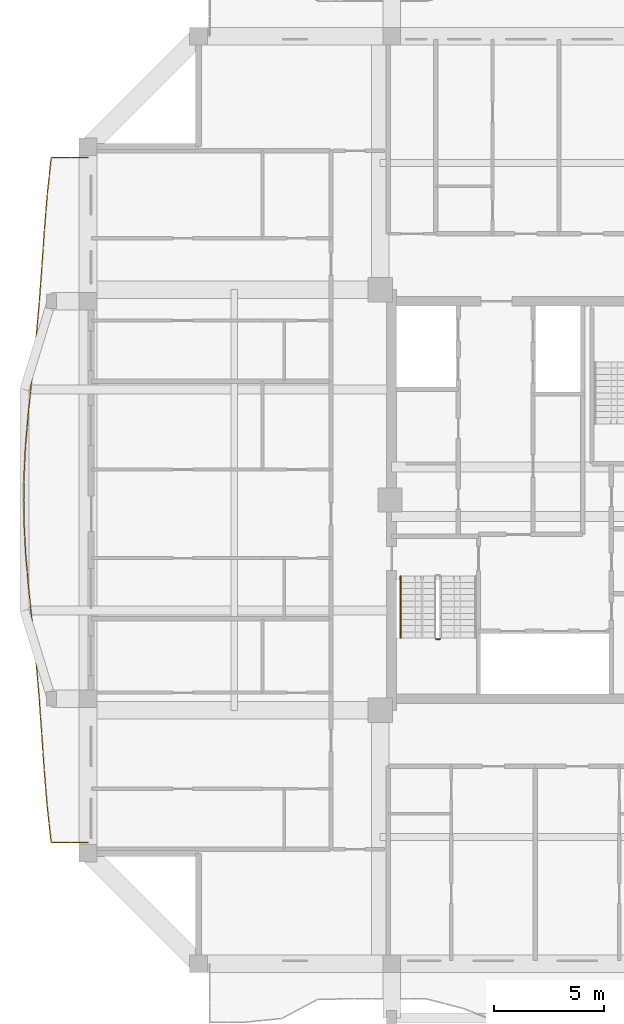
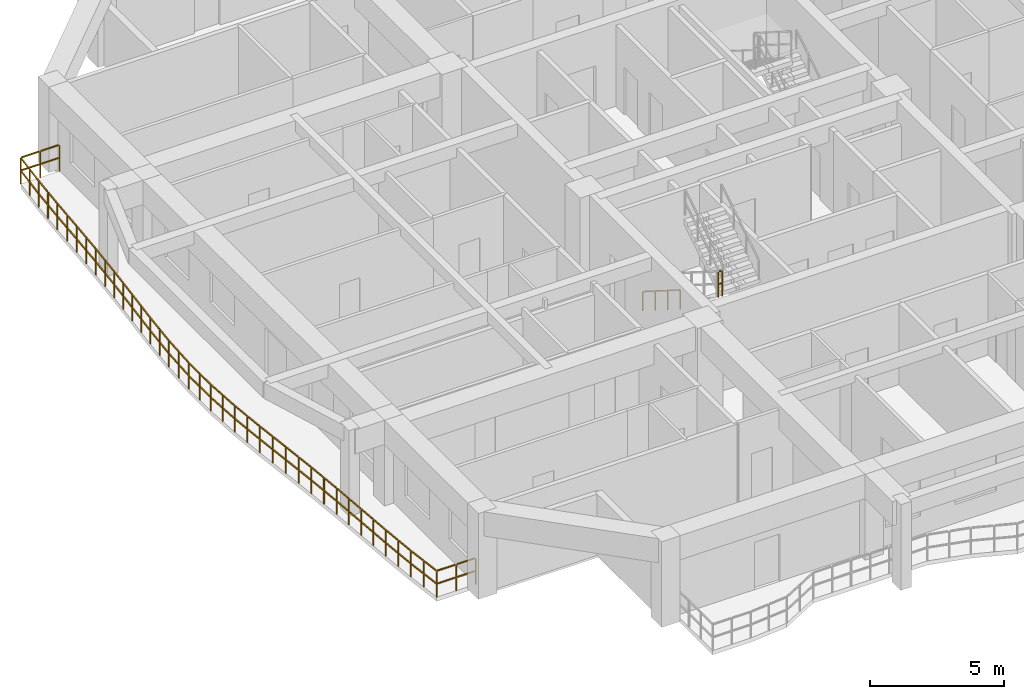
# One storey, part 10 of 13: 3 railings.
"""IFC4 building model written with IfcOpenShell, lengths in metres."""

import ifcopenshell
import ifcopenshell.guid

model = None  # the IFC model being written
_history = None  # IfcOwnerHistory: only IFC2X3 demands one
_inside = {}  # id of a spatial element -> (the spatial element, [elements in it])
_under = {}  # id of a project, library or spatial element -> (it, [spatial elements below it])
_declared = {}  # id of a project -> (the project, [libraries it declares])
_typed = {}  # id of a type object -> (the type object, [elements of that type])
_made_of = {}  # id of a material, layer set ... -> (it, [elements and type objects made of it])


def new_model(schema):
    """Start an empty IFC model of exactly this schema.

    Asked for "IFC4X3", IfcOpenShell would pick the latest addendum, in which some entities
    have other attributes; the version numbers below select the first issue.
    IFC2X3 requires an IfcOwnerHistory on every rooted entity: one is made here for all.
    """
    global model, _history
    if schema == "IFC4X3":
        model = ifcopenshell.file(schema_version=(4, 3, 0, 0))
    else:
        model = ifcopenshell.file(schema=schema)
    _inside.clear()
    _under.clear()
    _declared.clear()
    _typed.clear()
    _made_of.clear()
    _history = None
    if model.schema == "IFC2X3":
        org = make("IfcOrganization", Name="unknown")
        user = make(
            "IfcPersonAndOrganization",
            ThePerson=make("IfcPerson", FamilyName="unknown"),
            TheOrganization=org,
        )
        app = make(
            "IfcApplication",
            ApplicationDeveloper=org,
            Version="unknown",
            ApplicationFullName="unknown",
            ApplicationIdentifier="unknown",
        )
        _history = make(
            "IfcOwnerHistory",
            OwningUser=user,
            OwningApplication=app,
            ChangeAction="ADDED",
            CreationDate=0,
        )
    return model


def make(cls, **values):
    """One entity of the class cls with the attributes given. An attribute that is None is left unset."""
    return model.create_entity(
        cls, **{name: value for name, value in values.items() if value is not None}
    )


def rooted(cls, **values):
    """An entity with a GlobalId (a new one), such as an element, a storey or a relation."""
    return make(cls, GlobalId=ifcopenshell.guid.new(), OwnerHistory=_history, **values)


def si_unit(unit_type, name, prefix=None):
    """IfcSIUnit, for example si_unit("LENGTHUNIT", "METRE", prefix="MILLI")."""
    return make("IfcSIUnit", UnitType=unit_type, Prefix=prefix, Name=name)


def assignment(units):
    """IfcUnitAssignment: the units of a project."""
    return None if units is None else make("IfcUnitAssignment", Units=units)


def point(xyz):
    """IfcCartesianPoint."""
    return None if xyz is None else make("IfcCartesianPoint", Coordinates=xyz)


def direction(xyz):
    """IfcDirection."""
    return None if xyz is None else make("IfcDirection", DirectionRatios=xyz)


def frame(location, z_axis=None, x_axis=None):
    """IfcAxis2Placement3D, a coordinate frame: its origin and axes. An axis left out is left unset."""
    return make(
        "IfcAxis2Placement3D",
        Location=point(location),
        Axis=direction(z_axis),
        RefDirection=direction(x_axis),
    )


def frame_2d(location, x_axis=None):
    """IfcAxis2Placement2D, a coordinate frame in the plane: its origin and x axis."""
    return make(
        "IfcAxis2Placement2D", Location=point(location), RefDirection=direction(x_axis)
    )


def origin():
    """The frame at (0, 0, 0) with its axes left unset."""
    return frame((0.0, 0.0, 0.0))


def origin_2d():
    """The frame at (0, 0) in the plane with its x axis left unset."""
    return frame_2d((0.0, 0.0))


def place(relative_to, where):
    """IfcLocalPlacement: puts the frame where relative to a parent placement (None: the world)."""
    return make(
        "IfcLocalPlacement", PlacementRelTo=relative_to, RelativePlacement=where
    )


def context(
    kind, dimensions, precision=None, world=None, true_north=None, identifier=None
):
    """IfcGeometricRepresentationContext, for example the 3D "Model" context."""
    return make(
        "IfcGeometricRepresentationContext",
        ContextIdentifier=identifier,
        ContextType=kind,
        CoordinateSpaceDimension=dimensions,
        Precision=precision,
        WorldCoordinateSystem=world,
        TrueNorth=true_north,
    )


def subcontext(parent, identifier, kind, view, scale=None):
    """IfcGeometricRepresentationSubContext, for example "Body" below "Model"."""
    return make(
        "IfcGeometricRepresentationSubContext",
        ContextIdentifier=identifier,
        ContextType=kind,
        ParentContext=parent,
        TargetScale=scale,
        TargetView=view,
    )


def project(units=None, contexts=None):
    """IfcProject with its units and contexts."""
    return rooted(
        "IfcProject",
        Name="project",
        RepresentationContexts=contexts,
        UnitsInContext=assignment(units),
    )


def spatial(cls, under=None, at=None, **own):
    """A site, building, storey or space (cls), placed at a placement, below another one or the project."""
    s = rooted(cls, ObjectPlacement=at, **own)
    if under is not None:
        _under.setdefault(under.id(), (under, []))[1].append(s)
    return s


def profile(cls, at=None, kind="AREA", **sizes):
    """A parametric profile (cls). Its sizes go by their IFC names, for example OverallWidth=200.0."""
    return make(cls, ProfileType=kind, Position=at, **sizes)


def rectangle(**sizes):
    """IfcRectangleProfileDef."""
    return profile("IfcRectangleProfileDef", **sizes)


def extrude(swept, where, along, depth):
    """IfcExtrudedAreaSolid: the profile swept, set in the frame where, extruded along a direction by depth."""
    return make(
        "IfcExtrudedAreaSolid",
        SweptArea=swept,
        Position=where,
        ExtrudedDirection=direction(along),
        Depth=depth,
    )


def shape(context_of_items, identifier, shape_type, items):
    """IfcShapeRepresentation: the items that make up one representation, for example the "Body"."""
    return make(
        "IfcShapeRepresentation",
        ContextOfItems=context_of_items,
        RepresentationIdentifier=identifier,
        RepresentationType=shape_type,
        Items=items,
    )


def material(Name=None, Category=None):
    """IfcMaterial."""
    return make("IfcMaterial", Name=Name, Category=Category)


def made_of(thing, what):
    """Note that an element or type object is made of a material, layer set ...; save() writes the relation."""
    if what is not None:
        _made_of.setdefault(what.id(), (what, []))[1].append(thing)
    return thing


def type_object(cls, material=None, **own):
    """A type object (cls), such as IfcWallType, which elements share."""
    return made_of(rooted(cls, **own), material)


def element(
    cls,
    number,
    at=None,
    inside=None,
    cuts=None,
    type_object=None,
    material=None,
    context=None,
    identifier="Body",
    shape_type=None,
    held_by="IfcProductDefinitionShape",
    body=None,
    shapes=None,
    **own,
):
    """One element of the class cls, such as IfcWall. Its Tag is "e" and its number.

    at: its placement. inside: the storey or other place that contains it. cuts: it is an
    opening in that element (IfcRelVoidsElement). A single representation is given by context,
    identifier, shape_type and body (its items); several are given by shapes. held_by: the class
    of the entity that holds the representations. save() writes the other relations.
    """
    e = rooted(cls, Tag="e%d" % number, ObjectPlacement=at, **own)
    if body is not None:
        shapes = [shape(context, identifier, shape_type, body)]
    if shapes is not None:
        e.Representation = make(held_by, Representations=shapes)
    if inside is not None:
        _inside.setdefault(inside.id(), (inside, []))[1].append(e)
    if cuts is not None:
        rooted(
            "IfcRelVoidsElement", RelatingBuildingElement=cuts, RelatedOpeningElement=e
        )
    if type_object is not None:
        _typed.setdefault(type_object.id(), (type_object, []))[1].append(e)
    return made_of(e, material)


def aggregate(whole, parts):
    """IfcRelAggregates: a whole, such as a stair, and the parts it consists of."""
    return rooted("IfcRelAggregates", RelatingObject=whole, RelatedObjects=parts)


def save(model, path):
    """Write the relations noted so far, then the file.

    IfcRelAggregates (storeys below a building ...), IfcRelContainedInSpatialStructure (elements
    in a storey), IfcRelDefinesByType, IfcRelAssociatesMaterial and IfcRelDeclares: one each for
    every whole, place, type object, material and project.
    """
    for whole, parts in _under.values():
        aggregate(whole, parts)
    for where, things in _inside.values():
        rooted(
            "IfcRelContainedInSpatialStructure",
            RelatedElements=things,
            RelatingStructure=where,
        )
    for kind, things in _typed.values():
        rooted("IfcRelDefinesByType", RelatedObjects=things, RelatingType=kind)
    for what, things in _made_of.values():
        rooted("IfcRelAssociatesMaterial", RelatedObjects=things, RelatingMaterial=what)
    for by, libraries in _declared.values():
        rooted("IfcRelDeclares", RelatingContext=by, RelatedDefinitions=libraries)
    model.write(path)


model = new_model("IFC4")

# Units and contexts
model_context = context("Model", 3, precision=1e-05, world=origin(), true_north=direction((0.0, 1.0)))
body_context = subcontext(model_context, "Body", "Model", "MODEL_VIEW")
ifc_project = project(units=[si_unit("LENGTHUNIT", "METRE"), si_unit("AREAUNIT", "SQUARE_METRE"), si_unit("VOLUMEUNIT", "CUBIC_METRE"), si_unit("PLANEANGLEUNIT", "RADIAN"), si_unit("MASSUNIT", "GRAM", prefix="KILO")], contexts=[model_context])

# Site, building, storey
site_placement = place(None, origin())
site = spatial("IfcSite", under=ifc_project, at=site_placement, CompositionType="ELEMENT")
building_placement = place(site_placement, origin())
building = spatial("IfcBuilding", under=site, at=building_placement, Name="Saelheon Loggia Tower", CompositionType="ELEMENT")
storey_placement = place(building_placement, frame((0.0, 0.0, 172.89990234375)))
storey = spatial("IfcBuildingStorey", under=building, at=storey_placement, Name="L54", CompositionType="ELEMENT", Elevation=172.89990234375)

# Railings
ifc_material_1 = material(Name="Architectural Precast Concrete and Laminated Glass Guard", Category="concrete")
railing_type_1 = type_object("IfcRailingType", Name="Guard_Loggia_RL_LOG", PredefinedType="BALUSTRADE", material=ifc_material_1)
railing_1_placement = place(storey_placement, frame((17.75, 42.5, 0.0)))
element("IfcRailing", 1, at=railing_1_placement, inside=storey, type_object=railing_type_1, Name="L54 West Loggia Balustrade", PredefinedType="BALUSTRADE", context=body_context, shape_type="SweptSolid", body=[
    extrude(rectangle(XDim=0.048095703125, YDim=0.048095703125, at=origin_2d()), frame((-0.033203125, 0.0, 1.19580078125), z_axis=(-1.0, 0.0, 0.0), x_axis=(0.0, -1.0, 0.0)), (0.0, 0.0, 1.0), 0.768310546875),
    extrude(rectangle(XDim=0.048095703125, YDim=0.048095703125, at=origin_2d()), frame((-0.033203125, 0.0, 0.60986328125), z_axis=(-1.0, 0.0, 0.0), x_axis=(0.0, -1.0, 0.0)), (0.0, 0.0, 1.0), 0.768310546875),
    extrude(rectangle(XDim=0.048095703125, YDim=0.048095703125, at=origin_2d()), frame((-0.8681640625, 0.0, 1.19580078125), z_axis=(-1.0, 0.0, 0.0), x_axis=(0.0, -1.0, 0.0)), (0.0, 0.0, 1.0), 0.768310546875),
    extrude(rectangle(XDim=0.048095703125, YDim=0.048095703125, at=origin_2d()), frame((-0.8681640625, 0.0, 0.60986328125), z_axis=(-1.0, 0.0, 0.0), x_axis=(0.0, -1.0, 0.0)), (0.0, 0.0, 1.0), 0.768310546875),
    extrude(rectangle(XDim=0.048095703125, YDim=0.048095703125, at=origin_2d()), frame((-1.67333984375, -0.032958984375, 1.19580078125), z_axis=(-0.106527870298, -0.994309716763, 0.0), x_axis=(0.994309716763, -0.106527870298, 0.0)), (0.0, 0.0, 1.0), 0.75390625),
    extrude(rectangle(XDim=0.048095703125, YDim=0.048095703125, at=origin_2d()), frame((-1.67333984375, -0.032958984375, 0.60986328125), z_axis=(-0.106527870298, -0.994309716763, 0.0), x_axis=(0.994309716763, -0.106527870298, 0.0)), (0.0, 0.0, 1.0), 0.75390625),
    extrude(rectangle(XDim=0.048095703125, YDim=0.048095703125, at=origin_2d()), frame((-1.7607421875, -0.848876953125, 1.19580078125), z_axis=(-0.106527870298, -0.994309716763, 0.0), x_axis=(0.994309716763, -0.106527870298, 0.0)), (0.0, 0.0, 1.0), 0.75390625),
    extrude(rectangle(XDim=0.048095703125, YDim=0.048095703125, at=origin_2d()), frame((-1.7607421875, -0.848876953125, 0.60986328125), z_axis=(-0.106527870298, -0.994309716763, 0.0), x_axis=(0.994309716763, -0.106527870298, 0.0)), (0.0, 0.0, 1.0), 0.75390625),
    extrude(rectangle(XDim=0.048095703125, YDim=0.048095703125, at=origin_2d()), frame((-1.84716796875, -1.664794921875, 1.19580078125), z_axis=(-0.080835891672, -0.996727424433, 0.0), x_axis=(0.996727424433, -0.080835891672, 0.0)), (0.0, 0.0, 1.0), 0.751953125),
    extrude(rectangle(XDim=0.048095703125, YDim=0.048095703125, at=origin_2d()), frame((-1.84716796875, -1.664794921875, 0.60986328125), z_axis=(-0.080835891672, -0.996727424433, 0.0), x_axis=(0.996727424433, -0.080835891672, 0.0)), (0.0, 0.0, 1.0), 0.751953125),
    extrude(rectangle(XDim=0.048095703125, YDim=0.048095703125, at=origin_2d()), frame((-1.913330078125, -2.48046875, 1.19580078125), z_axis=(-0.080835891672, -0.996727424433, 0.0), x_axis=(0.996727424433, -0.080835891672, 0.0)), (0.0, 0.0, 1.0), 0.751953125),
    extrude(rectangle(XDim=0.048095703125, YDim=0.048095703125, at=origin_2d()), frame((-1.913330078125, -2.48046875, 0.60986328125), z_axis=(-0.080835891672, -0.996727424433, 0.0), x_axis=(0.996727424433, -0.080835891672, 0.0)), (0.0, 0.0, 1.0), 0.751953125),
    extrude(rectangle(XDim=0.048095703125, YDim=0.048095703125, at=origin_2d()), frame((-1.97900390625, -3.29638671875, 1.19580078125), z_axis=(-0.068817461126, -0.997629268338, 0.0), x_axis=(0.997629268338, -0.068817461126, 0.0)), (0.0, 0.0, 1.0), 0.751220703125),
    extrude(rectangle(XDim=0.048095703125, YDim=0.048095703125, at=origin_2d()), frame((-1.97900390625, -3.29638671875, 0.60986328125), z_axis=(-0.068817461126, -0.997629268338, 0.0), x_axis=(0.997629268338, -0.068817461126, 0.0)), (0.0, 0.0, 1.0), 0.751220703125),
    extrude(rectangle(XDim=0.048095703125, YDim=0.048095703125, at=origin_2d()), frame((-2.035400390625, -4.112060546875, 1.19580078125), z_axis=(-0.068817461126, -0.997629268338, 0.0), x_axis=(0.997629268338, -0.068817461126, 0.0)), (0.0, 0.0, 1.0), 0.751220703125),
    extrude(rectangle(XDim=0.048095703125, YDim=0.048095703125, at=origin_2d()), frame((-2.035400390625, -4.112060546875, 0.60986328125), z_axis=(-0.068817461126, -0.997629268338, 0.0), x_axis=(0.997629268338, -0.068817461126, 0.0)), (0.0, 0.0, 1.0), 0.751220703125),
    extrude(rectangle(XDim=0.048095703125, YDim=0.048095703125, at=origin_2d()), frame((-2.091796875, -4.927978515625, 1.19580078125), z_axis=(-0.072975638312, -0.997333723592, 0.0), x_axis=(0.997333723592, -0.072975638312, 0.0)), (0.0, 0.0, 1.0), 0.75146484375),
    extrude(rectangle(XDim=0.048095703125, YDim=0.048095703125, at=origin_2d()), frame((-2.091796875, -4.927978515625, 0.60986328125), z_axis=(-0.072975638312, -0.997333723592, 0.0), x_axis=(0.997333723592, -0.072975638312, 0.0)), (0.0, 0.0, 1.0), 0.75146484375),
    extrude(rectangle(XDim=0.048095703125, YDim=0.048095703125, at=origin_2d()), frame((-2.1513671875, -5.74365234375, 1.19580078125), z_axis=(-0.072975638312, -0.997333723592, 0.0), x_axis=(0.997333723592, -0.072975638312, 0.0)), (0.0, 0.0, 1.0), 0.75146484375),
    extrude(rectangle(XDim=0.048095703125, YDim=0.048095703125, at=origin_2d()), frame((-2.1513671875, -5.74365234375, 0.60986328125), z_axis=(-0.072975638312, -0.997333723592, 0.0), x_axis=(0.997333723592, -0.072975638312, 0.0)), (0.0, 0.0, 1.0), 0.75146484375),
    extrude(rectangle(XDim=0.048095703125, YDim=0.048095703125, at=origin_2d()), frame((-2.211669921875, -6.5595703125, 1.19580078125), z_axis=(-0.087941660899, -0.996125626755, 0.0), x_axis=(0.996125626755, -0.087941660899, 0.0)), (0.0, 0.0, 1.0), 0.75244140625),
    extrude(rectangle(XDim=0.048095703125, YDim=0.048095703125, at=origin_2d()), frame((-2.211669921875, -6.5595703125, 0.60986328125), z_axis=(-0.087941660899, -0.996125626755, 0.0), x_axis=(0.996125626755, -0.087941660899, 0.0)), (0.0, 0.0, 1.0), 0.75244140625),
    extrude(rectangle(XDim=0.048095703125, YDim=0.048095703125, at=origin_2d()), frame((-2.28369140625, -7.375244140625, 1.19580078125), z_axis=(-0.087941660899, -0.996125626755, 0.0), x_axis=(0.996125626755, -0.087941660899, 0.0)), (0.0, 0.0, 1.0), 0.75244140625),
    extrude(rectangle(XDim=0.048095703125, YDim=0.048095703125, at=origin_2d()), frame((-2.28369140625, -7.375244140625, 0.60986328125), z_axis=(-0.087941660899, -0.996125626755, 0.0), x_axis=(0.996125626755, -0.087941660899, 0.0)), (0.0, 0.0, 1.0), 0.75244140625),
    extrude(rectangle(XDim=0.048095703125, YDim=0.048095703125, at=origin_2d()), frame((-2.356201171875, -8.19091796875, 1.19580078125), z_axis=(-0.102111958424, -0.994772912753, 0.0), x_axis=(0.994772912753, -0.102111958424, 0.0)), (0.0, 0.0, 1.0), 0.753662109375),
    extrude(rectangle(XDim=0.048095703125, YDim=0.048095703125, at=origin_2d()), frame((-2.356201171875, -8.19091796875, 0.60986328125), z_axis=(-0.102111958424, -0.994772912753, 0.0), x_axis=(0.994772912753, -0.102111958424, 0.0)), (0.0, 0.0, 1.0), 0.753662109375),
    extrude(rectangle(XDim=0.048095703125, YDim=0.048095703125, at=origin_2d()), frame((-2.43994140625, -9.0068359375, 1.19580078125), z_axis=(-0.102111958424, -0.994772912753, 0.0), x_axis=(0.994772912753, -0.102111958424, 0.0)), (0.0, 0.0, 1.0), 0.753662109375),
    extrude(rectangle(XDim=0.048095703125, YDim=0.048095703125, at=origin_2d()), frame((-2.43994140625, -9.0068359375, 0.60986328125), z_axis=(-0.102111958424, -0.994772912753, 0.0), x_axis=(0.994772912753, -0.102111958424, 0.0)), (0.0, 0.0, 1.0), 0.753662109375),
    extrude(rectangle(XDim=0.048095703125, YDim=0.048095703125, at=origin_2d()), frame((-2.523681640625, -9.822509765625, 1.19580078125), z_axis=(-0.104026277092, -0.994574549078, 0.0), x_axis=(0.994574549078, -0.104026277092, 0.0)), (0.0, 0.0, 1.0), 0.753662109375),
    extrude(rectangle(XDim=0.048095703125, YDim=0.048095703125, at=origin_2d()), frame((-2.523681640625, -9.822509765625, 0.60986328125), z_axis=(-0.104026277092, -0.994574549078, 0.0), x_axis=(0.994574549078, -0.104026277092, 0.0)), (0.0, 0.0, 1.0), 0.753662109375),
    extrude(rectangle(XDim=0.048095703125, YDim=0.048095703125, at=origin_2d()), frame((-2.609130859375, -10.638427734375, 1.19580078125), z_axis=(-0.104026277092, -0.994574549078, 0.0), x_axis=(0.994574549078, -0.104026277092, 0.0)), (0.0, 0.0, 1.0), 0.753662109375),
    extrude(rectangle(XDim=0.048095703125, YDim=0.048095703125, at=origin_2d()), frame((-2.609130859375, -10.638427734375, 0.60986328125), z_axis=(-0.104026277092, -0.994574549078, 0.0), x_axis=(0.994574549078, -0.104026277092, 0.0)), (0.0, 0.0, 1.0), 0.753662109375),
    extrude(rectangle(XDim=0.048095703125, YDim=0.048095703125, at=origin_2d()), frame((-2.69384765625, -11.454345703125, 1.19580078125), z_axis=(-0.086179233363, -0.996279649364, 0.0), x_axis=(0.996279649364, -0.086179233363, 0.0)), (0.0, 0.0, 1.0), 0.752197265625),
    extrude(rectangle(XDim=0.048095703125, YDim=0.048095703125, at=origin_2d()), frame((-2.69384765625, -11.454345703125, 0.60986328125), z_axis=(-0.086179233363, -0.996279649364, 0.0), x_axis=(0.996279649364, -0.086179233363, 0.0)), (0.0, 0.0, 1.0), 0.752197265625),
    extrude(rectangle(XDim=0.048095703125, YDim=0.048095703125, at=origin_2d()), frame((-2.764404296875, -12.27001953125, 1.19580078125), z_axis=(-0.086179233363, -0.996279649364, 0.0), x_axis=(0.996279649364, -0.086179233363, 0.0)), (0.0, 0.0, 1.0), 0.752197265625),
    extrude(rectangle(XDim=0.048095703125, YDim=0.048095703125, at=origin_2d()), frame((-2.764404296875, -12.27001953125, 0.60986328125), z_axis=(-0.086179233363, -0.996279649364, 0.0), x_axis=(0.996279649364, -0.086179233363, 0.0)), (0.0, 0.0, 1.0), 0.752197265625),
    extrude(rectangle(XDim=0.048095703125, YDim=0.048095703125, at=origin_2d()), frame((-2.833740234375, -13.085693359375, 1.19580078125), z_axis=(-0.048275236415, -0.998834071079, 0.0), x_axis=(0.998834071079, -0.048275236415, 0.0)), (0.0, 0.0, 1.0), 0.750244140625),
    extrude(rectangle(XDim=0.048095703125, YDim=0.048095703125, at=origin_2d()), frame((-2.833740234375, -13.085693359375, 0.60986328125), z_axis=(-0.048275236415, -0.998834071079, 0.0), x_axis=(0.998834071079, -0.048275236415, 0.0)), (0.0, 0.0, 1.0), 0.750244140625),
    extrude(rectangle(XDim=0.048095703125, YDim=0.048095703125, at=origin_2d()), frame((-2.873046875, -13.9013671875, 1.19580078125), z_axis=(-0.048275236415, -0.998834071079, 0.0), x_axis=(0.998834071079, -0.048275236415, 0.0)), (0.0, 0.0, 1.0), 0.750244140625),
    extrude(rectangle(XDim=0.048095703125, YDim=0.048095703125, at=origin_2d()), frame((-2.873046875, -13.9013671875, 0.60986328125), z_axis=(-0.048275236415, -0.998834071079, 0.0), x_axis=(0.998834071079, -0.048275236415, 0.0)), (0.0, 0.0, 1.0), 0.750244140625),
    extrude(rectangle(XDim=0.048095703125, YDim=0.048095703125, at=origin_2d()), frame((-2.910888671875, -14.71728515625, 1.19580078125), z_axis=(0.001944939469, -0.999998108603, 0.0), x_axis=(0.999998108603, 0.001944939469, 0.0)), (0.0, 0.0, 1.0), 0.74951171875),
    extrude(rectangle(XDim=0.048095703125, YDim=0.048095703125, at=origin_2d()), frame((-2.910888671875, -14.71728515625, 0.60986328125), z_axis=(0.001944939469, -0.999998108603, 0.0), x_axis=(0.999998108603, 0.001944939469, 0.0)), (0.0, 0.0, 1.0), 0.74951171875),
    extrude(rectangle(XDim=0.048095703125, YDim=0.048095703125, at=origin_2d()), frame((-2.9091796875, -15.533203125, 1.19580078125), z_axis=(0.001944939469, -0.999998108603, 0.0), x_axis=(0.999998108603, 0.001944939469, 0.0)), (0.0, 0.0, 1.0), 0.74951171875),
    extrude(rectangle(XDim=0.048095703125, YDim=0.048095703125, at=origin_2d()), frame((-2.9091796875, -15.533203125, 0.60986328125), z_axis=(0.001944939469, -0.999998108603, 0.0), x_axis=(0.999998108603, 0.001944939469, 0.0)), (0.0, 0.0, 1.0), 0.74951171875),
    extrude(rectangle(XDim=0.048095703125, YDim=0.048095703125, at=origin_2d()), frame((-2.906005859375, -16.34912109375, 1.19580078125), z_axis=(0.051256790188, -0.998685506784, 0.0), x_axis=(0.998685506784, 0.051256790188, 0.0)), (0.0, 0.0, 1.0), 0.75048828125),
    extrude(rectangle(XDim=0.048095703125, YDim=0.048095703125, at=origin_2d()), frame((-2.906005859375, -16.34912109375, 0.60986328125), z_axis=(0.051256790188, -0.998685506784, 0.0), x_axis=(0.998685506784, 0.051256790188, 0.0)), (0.0, 0.0, 1.0), 0.75048828125),
    extrude(rectangle(XDim=0.048095703125, YDim=0.048095703125, at=origin_2d()), frame((-2.8642578125, -17.164794921875, 1.19580078125), z_axis=(0.051256790188, -0.998685506784, 0.0), x_axis=(0.998685506784, 0.051256790188, 0.0)), (0.0, 0.0, 1.0), 0.75048828125),
    extrude(rectangle(XDim=0.048095703125, YDim=0.048095703125, at=origin_2d()), frame((-2.8642578125, -17.164794921875, 0.60986328125), z_axis=(0.051256790188, -0.998685506784, 0.0), x_axis=(0.998685506784, 0.051256790188, 0.0)), (0.0, 0.0, 1.0), 0.75048828125),
    extrude(rectangle(XDim=0.048095703125, YDim=0.048095703125, at=origin_2d()), frame((-2.821044921875, -17.980712890625, 1.19580078125), z_axis=(0.087067080428, -0.996202451064, 0.0), x_axis=(0.996202451064, 0.087067080428, 0.0)), (0.0, 0.0, 1.0), 0.752197265625),
    extrude(rectangle(XDim=0.048095703125, YDim=0.048095703125, at=origin_2d()), frame((-2.821044921875, -17.980712890625, 0.60986328125), z_axis=(0.087067080428, -0.996202451064, 0.0), x_axis=(0.996202451064, 0.087067080428, 0.0)), (0.0, 0.0, 1.0), 0.752197265625),
    extrude(rectangle(XDim=0.048095703125, YDim=0.048095703125, at=origin_2d()), frame((-2.749755859375, -18.79638671875, 1.19580078125), z_axis=(0.087067080428, -0.996202451064, 0.0), x_axis=(0.996202451064, 0.087067080428, 0.0)), (0.0, 0.0, 1.0), 0.752197265625),
    extrude(rectangle(XDim=0.048095703125, YDim=0.048095703125, at=origin_2d()), frame((-2.749755859375, -18.79638671875, 0.60986328125), z_axis=(0.087067080428, -0.996202451064, 0.0), x_axis=(0.996202451064, 0.087067080428, 0.0)), (0.0, 0.0, 1.0), 0.752197265625),
    extrude(rectangle(XDim=0.048095703125, YDim=0.048095703125, at=origin_2d()), frame((-2.677978515625, -19.61181640625, 1.19580078125), z_axis=(0.102701101398, -0.994712261798, 0.0), x_axis=(0.994712261798, 0.102701101398, 0.0)), (0.0, 0.0, 1.0), 0.753662109375),
    extrude(rectangle(XDim=0.048095703125, YDim=0.048095703125, at=origin_2d()), frame((-2.677978515625, -19.61181640625, 0.60986328125), z_axis=(0.102701101398, -0.994712261798, 0.0), x_axis=(0.994712261798, 0.102701101398, 0.0)), (0.0, 0.0, 1.0), 0.753662109375),
    extrude(rectangle(XDim=0.048095703125, YDim=0.048095703125, at=origin_2d()), frame((-2.59375, -20.427734375, 1.19580078125), z_axis=(0.102701101398, -0.994712261798, 0.0), x_axis=(0.994712261798, 0.102701101398, 0.0)), (0.0, 0.0, 1.0), 0.753662109375),
    extrude(rectangle(XDim=0.048095703125, YDim=0.048095703125, at=origin_2d()), frame((-2.59375, -20.427734375, 0.60986328125), z_axis=(0.102701101398, -0.994712261798, 0.0), x_axis=(0.994712261798, 0.102701101398, 0.0)), (0.0, 0.0, 1.0), 0.753662109375),
    extrude(rectangle(XDim=0.048095703125, YDim=0.048095703125, at=origin_2d()), frame((-2.509765625, -21.243408203125, 1.19580078125), z_axis=(0.098869767063, -0.995100381449, 0.0), x_axis=(0.995100381449, 0.098869767063, 0.0)), (0.0, 0.0, 1.0), 0.75341796875),
    extrude(rectangle(XDim=0.048095703125, YDim=0.048095703125, at=origin_2d()), frame((-2.509765625, -21.243408203125, 0.60986328125), z_axis=(0.098869767063, -0.995100381449, 0.0), x_axis=(0.995100381449, 0.098869767063, 0.0)), (0.0, 0.0, 1.0), 0.75341796875),
    extrude(rectangle(XDim=0.048095703125, YDim=0.048095703125, at=origin_2d()), frame((-2.4287109375, -22.059326171875, 1.19580078125), z_axis=(0.098869767063, -0.995100381449, 0.0), x_axis=(0.995100381449, 0.098869767063, 0.0)), (0.0, 0.0, 1.0), 0.75341796875),
    extrude(rectangle(XDim=0.048095703125, YDim=0.048095703125, at=origin_2d()), frame((-2.4287109375, -22.059326171875, 0.60986328125), z_axis=(0.098869767063, -0.995100381449, 0.0), x_axis=(0.995100381449, 0.098869767063, 0.0)), (0.0, 0.0, 1.0), 0.75341796875),
    extrude(rectangle(XDim=0.048095703125, YDim=0.048095703125, at=origin_2d()), frame((-2.34814453125, -22.875244140625, 1.19580078125), z_axis=(0.08409429892, -0.996457800857, 0.0), x_axis=(0.996457800857, 0.08409429892, 0.0)), (0.0, 0.0, 1.0), 0.752197265625),
    extrude(rectangle(XDim=0.048095703125, YDim=0.048095703125, at=origin_2d()), frame((-2.34814453125, -22.875244140625, 0.60986328125), z_axis=(0.08409429892, -0.996457800857, 0.0), x_axis=(0.996457800857, 0.08409429892, 0.0)), (0.0, 0.0, 1.0), 0.752197265625),
    extrude(rectangle(XDim=0.048095703125, YDim=0.048095703125, at=origin_2d()), frame((-2.279296875, -23.69091796875, 1.19580078125), z_axis=(0.08409429892, -0.996457800857, 0.0), x_axis=(0.996457800857, 0.08409429892, 0.0)), (0.0, 0.0, 1.0), 0.752197265625),
    extrude(rectangle(XDim=0.048095703125, YDim=0.048095703125, at=origin_2d()), frame((-2.279296875, -23.69091796875, 0.60986328125), z_axis=(0.08409429892, -0.996457800857, 0.0), x_axis=(0.996457800857, 0.08409429892, 0.0)), (0.0, 0.0, 1.0), 0.752197265625),
    extrude(rectangle(XDim=0.048095703125, YDim=0.048095703125, at=origin_2d()), frame((-2.210693359375, -24.5068359375, 1.19580078125), z_axis=(0.070302947542, -0.99752568667, 0.0), x_axis=(0.99752568667, 0.070302947542, 0.0)), (0.0, 0.0, 1.0), 0.75146484375),
    extrude(rectangle(XDim=0.048095703125, YDim=0.048095703125, at=origin_2d()), frame((-2.210693359375, -24.5068359375, 0.60986328125), z_axis=(0.070302947542, -0.99752568667, 0.0), x_axis=(0.99752568667, 0.070302947542, 0.0)), (0.0, 0.0, 1.0), 0.75146484375),
    extrude(rectangle(XDim=0.048095703125, YDim=0.048095703125, at=origin_2d()), frame((-2.1533203125, -25.322509765625, 1.19580078125), z_axis=(0.070302947542, -0.99752568667, 0.0), x_axis=(0.99752568667, 0.070302947542, 0.0)), (0.0, 0.0, 1.0), 0.75146484375),
    extrude(rectangle(XDim=0.048095703125, YDim=0.048095703125, at=origin_2d()), frame((-2.1533203125, -25.322509765625, 0.60986328125), z_axis=(0.070302947542, -0.99752568667, 0.0), x_axis=(0.99752568667, 0.070302947542, 0.0)), (0.0, 0.0, 1.0), 0.75146484375),
    extrude(rectangle(XDim=0.048095703125, YDim=0.048095703125, at=origin_2d()), frame((-2.095947265625, -26.138427734375, 1.19580078125), z_axis=(0.068371725473, -0.99765991558, 0.0), x_axis=(0.99765991558, 0.068371725473, 0.0)), (0.0, 0.0, 1.0), 0.751220703125),
    extrude(rectangle(XDim=0.048095703125, YDim=0.048095703125, at=origin_2d()), frame((-2.095947265625, -26.138427734375, 0.60986328125), z_axis=(0.068371725473, -0.99765991558, 0.0), x_axis=(0.99765991558, 0.068371725473, 0.0)), (0.0, 0.0, 1.0), 0.751220703125),
    extrude(rectangle(XDim=0.048095703125, YDim=0.048095703125, at=origin_2d()), frame((-2.0400390625, -26.9541015625, 1.19580078125), z_axis=(0.068371725473, -0.99765991558, 0.0), x_axis=(0.99765991558, 0.068371725473, 0.0)), (0.0, 0.0, 1.0), 0.751220703125),
    extrude(rectangle(XDim=0.048095703125, YDim=0.048095703125, at=origin_2d()), frame((-2.0400390625, -26.9541015625, 0.60986328125), z_axis=(0.068371725473, -0.99765991558, 0.0), x_axis=(0.99765991558, 0.068371725473, 0.0)), (0.0, 0.0, 1.0), 0.751220703125),
    extrude(rectangle(XDim=0.048095703125, YDim=0.048095703125, at=origin_2d()), frame((-1.983642578125, -27.77001953125, 1.19580078125), z_axis=(0.082761634161, -0.996569371349, 0.0), x_axis=(0.996569371349, 0.082761634161, 0.0)), (0.0, 0.0, 1.0), 0.752197265625),
    extrude(rectangle(XDim=0.048095703125, YDim=0.048095703125, at=origin_2d()), frame((-1.983642578125, -27.77001953125, 0.60986328125), z_axis=(0.082761634161, -0.996569371349, 0.0), x_axis=(0.996569371349, 0.082761634161, 0.0)), (0.0, 0.0, 1.0), 0.752197265625),
    extrude(rectangle(XDim=0.048095703125, YDim=0.048095703125, at=origin_2d()), frame((-1.915771484375, -28.585693359375, 1.19580078125), z_axis=(0.082761634161, -0.996569371349, 0.0), x_axis=(0.996569371349, 0.082761634161, 0.0)), (0.0, 0.0, 1.0), 0.752197265625),
    extrude(rectangle(XDim=0.048095703125, YDim=0.048095703125, at=origin_2d()), frame((-1.915771484375, -28.585693359375, 0.60986328125), z_axis=(0.082761634161, -0.996569371349, 0.0), x_axis=(0.996569371349, 0.082761634161, 0.0)), (0.0, 0.0, 1.0), 0.752197265625),
    extrude(rectangle(XDim=0.048095703125, YDim=0.048095703125, at=origin_2d()), frame((-1.84716796875, -29.4013671875, 1.19580078125), z_axis=(0.110202999113, -0.993909099962, 0.0), x_axis=(0.993909099962, 0.110202999113, 0.0)), (0.0, 0.0, 1.0), 0.75439453125),
    extrude(rectangle(XDim=0.048095703125, YDim=0.048095703125, at=origin_2d()), frame((-1.84716796875, -29.4013671875, 0.60986328125), z_axis=(0.110202999113, -0.993909099962, 0.0), x_axis=(0.993909099962, 0.110202999113, 0.0)), (0.0, 0.0, 1.0), 0.75439453125),
    extrude(rectangle(XDim=0.048095703125, YDim=0.048095703125, at=origin_2d()), frame((-1.756591796875, -30.21728515625, 1.19580078125), z_axis=(0.110202999113, -0.993909099962, 0.0), x_axis=(0.993909099962, 0.110202999113, 0.0)), (0.0, 0.0, 1.0), 0.75439453125),
    extrude(rectangle(XDim=0.048095703125, YDim=0.048095703125, at=origin_2d()), frame((-1.756591796875, -30.21728515625, 0.60986328125), z_axis=(0.110202999113, -0.993909099962, 0.0), x_axis=(0.993909099962, 0.110202999113, 0.0)), (0.0, 0.0, 1.0), 0.75439453125),
    extrude(rectangle(XDim=0.048095703125, YDim=0.048095703125, at=origin_2d()), frame((-1.63671875, -31.0, 1.19580078125), z_axis=(1.0, 0.0, 0.0), x_axis=(0.0, 1.0, 0.0)), (0.0, 0.0, 1.0), 0.7685546875),
    extrude(rectangle(XDim=0.048095703125, YDim=0.048095703125, at=origin_2d()), frame((-1.63671875, -31.0, 0.60986328125), z_axis=(1.0, 0.0, 0.0), x_axis=(0.0, 1.0, 0.0)), (0.0, 0.0, 1.0), 0.7685546875),
    extrude(rectangle(XDim=0.048095703125, YDim=0.048095703125, at=origin_2d()), frame((-0.8017578125, -31.0, 1.19580078125), z_axis=(1.0, 0.0, 0.0), x_axis=(0.0, 1.0, 0.0)), (0.0, 0.0, 1.0), 0.7685546875),
    extrude(rectangle(XDim=0.048095703125, YDim=0.048095703125, at=origin_2d()), frame((-0.8017578125, -31.0, 0.60986328125), z_axis=(1.0, 0.0, 0.0), x_axis=(0.0, 1.0, 0.0)), (0.0, 0.0, 1.0), 0.7685546875),
    extrude(rectangle(XDim=0.0419921875, YDim=0.0419921875, at=origin_2d()), origin(), (0.0, 0.0, 1.0), 1.16796875),
    extrude(rectangle(XDim=0.0419921875, YDim=0.0419921875, at=origin_2d()), frame((-0.8349609375, 0.0, 0.0)), (0.0, 0.0, 1.0), 1.16796875),
    extrude(rectangle(XDim=0.0419921875, YDim=0.0419921875, at=origin_2d()), frame((-1.669677734375, 0.0, 0.0)), (0.0, 0.0, 1.0), 1.16796875),
    extrude(rectangle(XDim=0.0419921875, YDim=0.0419921875, at=origin_2d()), frame((-1.757080078125, -0.81591796875, 0.0)), (0.0, 0.0, 1.0), 1.16796875),
    extrude(rectangle(XDim=0.0419921875, YDim=0.0419921875, at=origin_2d()), frame((-1.844482421875, -1.631591796875, 0.0)), (0.0, 0.0, 1.0), 1.16796875),
    extrude(rectangle(XDim=0.0419921875, YDim=0.0419921875, at=origin_2d()), frame((-1.91064453125, -2.447265625, 0.0)), (0.0, 0.0, 1.0), 1.16796875),
    extrude(rectangle(XDim=0.0419921875, YDim=0.0419921875, at=origin_2d()), frame((-1.976806640625, -3.26318359375, 0.0)), (0.0, 0.0, 1.0), 1.16796875),
    extrude(rectangle(XDim=0.0419921875, YDim=0.0419921875, at=origin_2d()), frame((-2.033203125, -4.0791015625, 0.0)), (0.0, 0.0, 1.0), 1.16796875),
    extrude(rectangle(XDim=0.0419921875, YDim=0.0419921875, at=origin_2d()), frame((-2.08935546875, -4.894775390625, 0.0)), (0.0, 0.0, 1.0), 1.16796875),
    extrude(rectangle(XDim=0.0419921875, YDim=0.0419921875, at=origin_2d()), frame((-2.14892578125, -5.71044921875, 0.0)), (0.0, 0.0, 1.0), 1.16796875),
    extrude(rectangle(XDim=0.0419921875, YDim=0.0419921875, at=origin_2d()), frame((-2.208740234375, -6.5263671875, 0.0)), (0.0, 0.0, 1.0), 1.16796875),
    extrude(rectangle(XDim=0.0419921875, YDim=0.0419921875, at=origin_2d()), frame((-2.28076171875, -7.34228515625, 0.0)), (0.0, 0.0, 1.0), 1.16796875),
    extrude(rectangle(XDim=0.0419921875, YDim=0.0419921875, at=origin_2d()), frame((-2.352783203125, -8.157958984375, 0.0)), (0.0, 0.0, 1.0), 1.16796875),
    extrude(rectangle(XDim=0.0419921875, YDim=0.0419921875, at=origin_2d()), frame((-2.4365234375, -8.9736328125, 0.0)), (0.0, 0.0, 1.0), 1.16796875),
    extrude(rectangle(XDim=0.0419921875, YDim=0.0419921875, at=origin_2d()), frame((-2.520263671875, -9.78955078125, 0.0)), (0.0, 0.0, 1.0), 1.16796875),
    extrude(rectangle(XDim=0.0419921875, YDim=0.0419921875, at=origin_2d()), frame((-2.60546875, -10.60546875, 0.0)), (0.0, 0.0, 1.0), 1.16796875),
    extrude(rectangle(XDim=0.0419921875, YDim=0.0419921875, at=origin_2d()), frame((-2.69091796875, -11.421142578125, 0.0)), (0.0, 0.0, 1.0), 1.16796875),
    extrude(rectangle(XDim=0.0419921875, YDim=0.0419921875, at=origin_2d()), frame((-2.761474609375, -12.23681640625, 0.0)), (0.0, 0.0, 1.0), 1.16796875),
    extrude(rectangle(XDim=0.0419921875, YDim=0.0419921875, at=origin_2d()), frame((-2.83203125, -13.052490234375, 0.0)), (0.0, 0.0, 1.0), 1.16796875),
    extrude(rectangle(XDim=0.0419921875, YDim=0.0419921875, at=origin_2d()), frame((-2.87158203125, -13.8681640625, 0.0)), (0.0, 0.0, 1.0), 1.16796875),
    extrude(rectangle(XDim=0.0419921875, YDim=0.0419921875, at=origin_2d()), frame((-2.910888671875, -14.68408203125, 0.0)), (0.0, 0.0, 1.0), 1.16796875),
    extrude(rectangle(XDim=0.0419921875, YDim=0.0419921875, at=origin_2d()), frame((-2.9091796875, -15.5, 0.0)), (0.0, 0.0, 1.0), 1.16796875),
    extrude(rectangle(XDim=0.0419921875, YDim=0.0419921875, at=origin_2d()), frame((-2.90771484375, -16.31591796875, 0.0)), (0.0, 0.0, 1.0), 1.16796875),
    extrude(rectangle(XDim=0.0419921875, YDim=0.0419921875, at=origin_2d()), frame((-2.86572265625, -17.1318359375, 0.0)), (0.0, 0.0, 1.0), 1.16796875),
    extrude(rectangle(XDim=0.0419921875, YDim=0.0419921875, at=origin_2d()), frame((-2.823974609375, -17.947509765625, 0.0)), (0.0, 0.0, 1.0), 1.16796875),
    extrude(rectangle(XDim=0.0419921875, YDim=0.0419921875, at=origin_2d()), frame((-2.752685546875, -18.76318359375, 0.0)), (0.0, 0.0, 1.0), 1.16796875),
    extrude(rectangle(XDim=0.0419921875, YDim=0.0419921875, at=origin_2d()), frame((-2.681396484375, -19.578857421875, 0.0)), (0.0, 0.0, 1.0), 1.16796875),
    extrude(rectangle(XDim=0.0419921875, YDim=0.0419921875, at=origin_2d()), frame((-2.59716796875, -20.39453125, 0.0)), (0.0, 0.0, 1.0), 1.16796875),
    extrude(rectangle(XDim=0.0419921875, YDim=0.0419921875, at=origin_2d()), frame((-2.512939453125, -21.21044921875, 0.0)), (0.0, 0.0, 1.0), 1.16796875),
    extrude(rectangle(XDim=0.0419921875, YDim=0.0419921875, at=origin_2d()), frame((-2.431884765625, -22.0263671875, 0.0)), (0.0, 0.0, 1.0), 1.16796875),
    extrude(rectangle(XDim=0.0419921875, YDim=0.0419921875, at=origin_2d()), frame((-2.350830078125, -22.842041015625, 0.0)), (0.0, 0.0, 1.0), 1.16796875),
    extrude(rectangle(XDim=0.0419921875, YDim=0.0419921875, at=origin_2d()), frame((-2.281982421875, -23.65771484375, 0.0)), (0.0, 0.0, 1.0), 1.16796875),
    extrude(rectangle(XDim=0.0419921875, YDim=0.0419921875, at=origin_2d()), frame((-2.213134765625, -24.4736328125, 0.0)), (0.0, 0.0, 1.0), 1.16796875),
    extrude(rectangle(XDim=0.0419921875, YDim=0.0419921875, at=origin_2d()), frame((-2.15576171875, -25.28955078125, 0.0)), (0.0, 0.0, 1.0), 1.16796875),
    extrude(rectangle(XDim=0.0419921875, YDim=0.0419921875, at=origin_2d()), frame((-2.09814453125, -26.105224609375, 0.0)), (0.0, 0.0, 1.0), 1.16796875),
    extrude(rectangle(XDim=0.0419921875, YDim=0.0419921875, at=origin_2d()), frame((-2.042236328125, -26.9208984375, 0.0)), (0.0, 0.0, 1.0), 1.16796875),
    extrude(rectangle(XDim=0.0419921875, YDim=0.0419921875, at=origin_2d()), frame((-1.986328125, -27.73681640625, 0.0)), (0.0, 0.0, 1.0), 1.16796875),
    extrude(rectangle(XDim=0.0419921875, YDim=0.0419921875, at=origin_2d()), frame((-1.91845703125, -28.552734375, 0.0)), (0.0, 0.0, 1.0), 1.16796875),
    extrude(rectangle(XDim=0.0419921875, YDim=0.0419921875, at=origin_2d()), frame((-1.850830078125, -29.368408203125, 0.0)), (0.0, 0.0, 1.0), 1.16796875),
    extrude(rectangle(XDim=0.0419921875, YDim=0.0419921875, at=origin_2d()), frame((-1.76025390625, -30.18408203125, 0.0)), (0.0, 0.0, 1.0), 1.16796875),
    extrude(rectangle(XDim=0.0419921875, YDim=0.0419921875, at=origin_2d()), frame((-1.669921875, -31.0, 0.0)), (0.0, 0.0, 1.0), 1.16796875),
    extrude(rectangle(XDim=0.0419921875, YDim=0.0419921875, at=origin_2d()), frame((-0.8349609375, -31.0, 0.0)), (0.0, 0.0, 1.0), 1.16796875),
    extrude(rectangle(XDim=0.0419921875, YDim=0.0419921875, at=origin_2d()), frame((0.0, -31.0, 0.0)), (0.0, 0.0, 1.0), 1.16796875),
])
ifc_material_2 = material(Name="Galvanised Steel S275 Stairwell Guardrail", Category="steel")
railing_type_2 = type_object("IfcRailingType", Name="Guard_StairWell_RL_STG", PredefinedType="GUARDRAIL", material=ifc_material_2)
railing_2_placement = place(storey_placement, frame((33.510009765625, 20.699951171875, 1.9501953125)))
element("IfcRailing", 2, at=railing_2_placement, inside=storey, type_object=railing_type_2, Name="L54 ST1 stair guard 2", PredefinedType="GUARDRAIL", context=body_context, shape_type="SweptSolid", body=[
    extrude(rectangle(XDim=0.048095703125, YDim=0.048095703125, at=origin_2d()), frame((0.033203125, 0.0, 1.17578125), z_axis=(1.0, 0.0, 0.0), x_axis=(0.0, 1.0, 0.0)), (0.0, 0.0, 1.0), 0.093505859375),
    extrude(rectangle(XDim=0.048095703125, YDim=0.048095703125, at=origin_2d()), frame((0.033203125, 0.0, 0.60009765625), z_axis=(1.0, 0.0, 0.0), x_axis=(0.0, 1.0, 0.0)), (0.0, 0.0, 1.0), 0.093505859375),
    extrude(rectangle(XDim=0.0419921875, YDim=0.0419921875, at=origin_2d()), origin(), (0.0, 0.0, 1.0), 1.14794921875),
    extrude(rectangle(XDim=0.0419921875, YDim=0.0419921875, at=origin_2d()), frame((0.159912109375, 0.0, 0.0)), (0.0, 0.0, 1.0), 1.14794921875),
])
ifc_material_3 = material(Name="Stainless Steel 304 Tubular Handrail", Category="steel")
railing_type_3 = type_object("IfcRailingType", Name="Handrail_Stair_RL_HR1", PredefinedType="HANDRAIL", material=ifc_material_3)
railing_3_placement = place(storey_placement, frame((31.89990234375, 23.550048828125, 0.177490234375)))
element("IfcRailing", 3, at=railing_3_placement, inside=storey, type_object=railing_type_3, Name="L54 ST1 stair handrail 1", PredefinedType="HANDRAIL", context=body_context, shape_type="SweptSolid", body=[
    extrude(rectangle(XDim=0.048095703125, YDim=0.048095703125, at=origin_2d()), frame((0.0, -0.028076171875, 0.8935546875), z_axis=(0.0, -0.844908973607, 0.534910110503), x_axis=(1.0, 0.0, 0.0)), (0.0, 0.0, 1.0), 1.0380859375),
    extrude(rectangle(XDim=0.048095703125, YDim=0.048095703125, at=origin_2d()), frame((0.0, -0.96142578125, 1.484619140625), z_axis=(0.0, -0.844908973607, 0.534910110503), x_axis=(1.0, 0.0, 0.0)), (0.0, 0.0, 1.0), 1.0380859375),
    extrude(rectangle(XDim=0.048095703125, YDim=0.048095703125, at=origin_2d()), frame((0.0, -1.894775390625, 2.075439453125), z_axis=(0.0, -0.844908973607, 0.534910110503), x_axis=(1.0, 0.0, 0.0)), (0.0, 0.0, 1.0), 1.0380859375),
    extrude(rectangle(XDim=0.0419921875, YDim=0.0419921875, at=origin_2d()), origin(), (0.0, 0.0, 1.0), 0.847900390625),
    extrude(rectangle(XDim=0.0419921875, YDim=0.0419921875, at=origin_2d()), frame((0.0, -0.933349609375, 0.5908203125)), (0.0, 0.0, 1.0), 0.847900390625),
    extrude(rectangle(XDim=0.0419921875, YDim=0.0419921875, at=origin_2d()), frame((0.0, -1.86669921875, 1.181884765625)), (0.0, 0.0, 1.0), 0.847900390625),
    extrude(rectangle(XDim=0.0419921875, YDim=0.0419921875, at=origin_2d()), frame((0.0, -2.800048828125, 1.772705078125)), (0.0, 0.0, 1.0), 0.847900390625),
])

save(model, "model.ifc")
